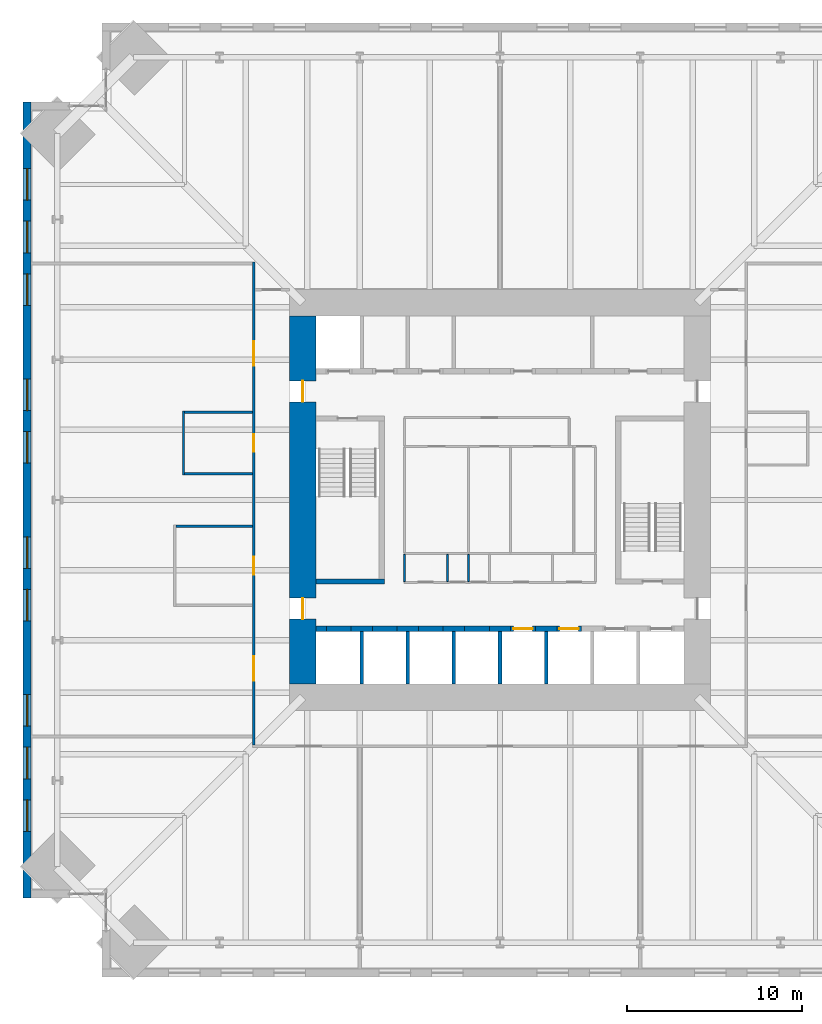
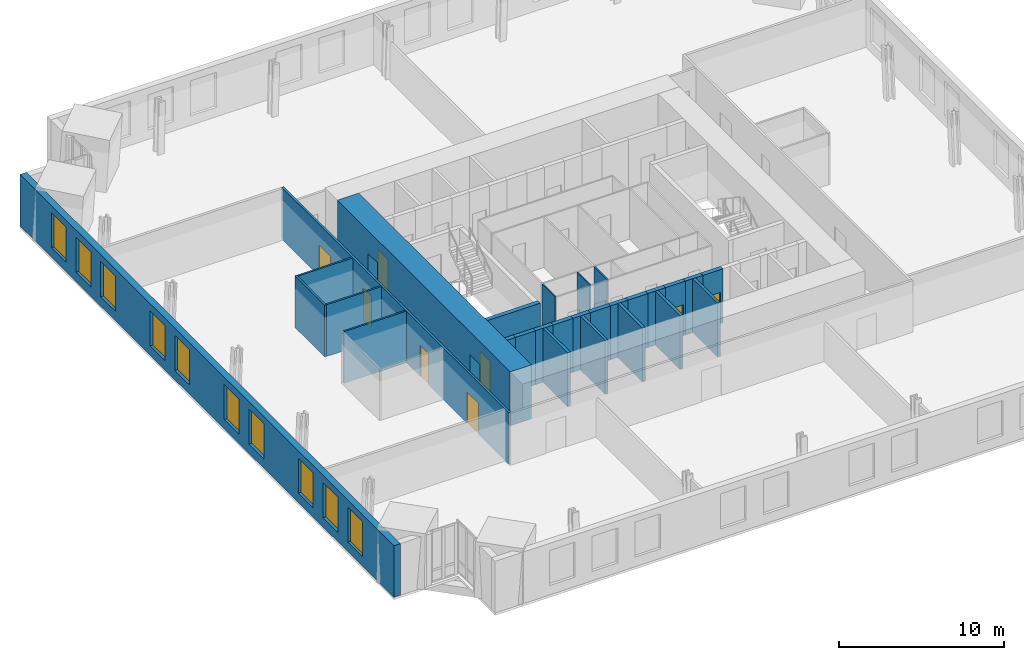
# One storey, part 12 of 16: 28 walls, 10 windows, 8 doors, 18 openings.
"""IFC4 building model written with IfcOpenShell, lengths in metres."""

from ifc_helpers import new_model, si_unit, direction, frame, frame_2d, origin, place, context, subcontext, project, spatial, rectangle, extrude, material, layer, layer_set, type_object, element, fill, save


model = new_model("IFC4")

# Units and contexts
model_context = context("Model", 3, precision=1e-05, world=origin(), true_north=direction((0.0, 1.0)))
body_context = subcontext(model_context, "Body", "Model", "MODEL_VIEW")
ifc_project = project(units=[si_unit("LENGTHUNIT", "METRE"), si_unit("AREAUNIT", "SQUARE_METRE"), si_unit("VOLUMEUNIT", "CUBIC_METRE"), si_unit("PLANEANGLEUNIT", "RADIAN"), si_unit("MASSUNIT", "GRAM", prefix="KILO")], contexts=[model_context])

# Site, building, storey
site_placement = place(None, origin())
site = spatial("IfcSite", under=ifc_project, at=site_placement, CompositionType="ELEMENT")
building_placement = place(site_placement, origin())
building = spatial("IfcBuilding", under=site, at=building_placement, Name="Peilmerk Tower", CompositionType="ELEMENT")
storey_placement = place(building_placement, frame((0.0, 0.0, 139.800048828125)))
storey = spatial("IfcBuildingStorey", under=building, at=storey_placement, Name="L28", CompositionType="ELEMENT", Elevation=139.800048828125)

# Wall, openings, windows
ifc_material_1 = material(Name="Precast concrete C45/55, board-marked finish", Category="concrete")
ifc_layer_1 = layer(ifc_material_1, 0.449951171875)
ifc_layer_set_1 = layer_set([ifc_layer_1], Name="Precast concrete C45/55, board-marked finish")
wall_type_1 = type_object("IfcWallType", Name="EW1 450 precast concrete facade wall, board-marked", PredefinedType="SOLIDWALL", material=ifc_layer_set_1)
wall_1_placement = place(storey_placement, frame((-26.97509765625, 22.699951171875, 0.0), z_axis=(0.0, 0.0, 1.0), x_axis=(0.0, -1.0, 0.0)))
wall_1 = element("IfcWall", 1, at=wall_1_placement, inside=storey, type_object=wall_type_1, Name="Facade wall W L28", PredefinedType="SOLIDWALL", context=body_context, shape_type="SweptSolid", body=[
    extrude(rectangle(XDim=45.39990234375, YDim=0.449951171875, at=frame_2d((22.699951171875, 0.0))), origin(), (0.0, 0.0, 1.0), 3.829833984375),
])
opening_1_placement = place(wall_1_placement, frame((3.800048828125, 0.0, 0.699951171875)))
opening_1 = element("IfcOpeningElement", 2, at=opening_1_placement, cuts=wall_1, Name="Opening W1", PredefinedType="OPENING", context=body_context, shape_type="SweptSolid", body=[
    extrude(rectangle(XDim=1.800048828125, YDim=2.60009765625, at=frame_2d((0.89990234375, 1.300048828125))), frame((0.0, 0.23486328125, 0.0), z_axis=(0.0, -1.0, 0.0), x_axis=(1.0, 0.0, 0.0)), (0.0, 0.0, 1.0), 0.469970703125),
])
opening_2_placement = place(wall_1_placement, frame((6.800048828125, 0.0, 0.699951171875)))
opening_2 = element("IfcOpeningElement", 3, at=opening_2_placement, cuts=wall_1, Name="Opening W1", PredefinedType="OPENING", context=body_context, shape_type="SweptSolid", body=[
    extrude(rectangle(XDim=1.800048828125, YDim=2.60009765625, at=frame_2d((0.89990234375, 1.300048828125))), frame((0.0, 0.23486328125, 0.0), z_axis=(0.0, -1.0, 0.0), x_axis=(1.0, 0.0, 0.0)), (0.0, 0.0, 1.0), 0.469970703125),
])
opening_3_placement = place(wall_1_placement, frame((9.800048828125, 0.0, 0.699951171875)))
opening_3 = element("IfcOpeningElement", 4, at=opening_3_placement, cuts=wall_1, Name="Opening W1", PredefinedType="OPENING", context=body_context, shape_type="SweptSolid", body=[
    extrude(rectangle(XDim=1.800048828125, YDim=2.60009765625, at=frame_2d((0.89990234375, 1.300048828125))), frame((0.0, 0.23486328125, 0.0), z_axis=(0.0, -1.0, 0.0), x_axis=(1.0, 0.0, 0.0)), (0.0, 0.0, 1.0), 0.469970703125),
])
opening_4_placement = place(wall_1_placement, frame((15.800048828125, 0.0, 0.699951171875)))
opening_4 = element("IfcOpeningElement", 5, at=opening_4_placement, cuts=wall_1, Name="Opening W1", PredefinedType="OPENING", context=body_context, shape_type="SweptSolid", body=[
    extrude(rectangle(XDim=1.800048828125, YDim=2.60009765625, at=frame_2d((0.89990234375, 1.300048828125))), frame((0.0, 0.23486328125, 0.0), z_axis=(0.0, -1.0, 0.0), x_axis=(1.0, 0.0, 0.0)), (0.0, 0.0, 1.0), 0.469970703125),
])
opening_5_placement = place(wall_1_placement, frame((18.800048828125, 0.0, 0.699951171875)))
opening_5 = element("IfcOpeningElement", 6, at=opening_5_placement, cuts=wall_1, Name="Opening W1", PredefinedType="OPENING", context=body_context, shape_type="SweptSolid", body=[
    extrude(rectangle(XDim=1.800048828125, YDim=2.60009765625, at=frame_2d((0.89990234375, 1.300048828125))), frame((0.0, 0.23486328125, 0.0), z_axis=(0.0, -1.0, 0.0), x_axis=(1.0, 0.0, 0.0)), (0.0, 0.0, 1.0), 0.469970703125),
])
opening_6_placement = place(wall_1_placement, frame((24.800048828125, 0.0, 0.699951171875)))
opening_6 = element("IfcOpeningElement", 7, at=opening_6_placement, cuts=wall_1, Name="Opening W1", PredefinedType="OPENING", context=body_context, shape_type="SweptSolid", body=[
    extrude(rectangle(XDim=1.800048828125, YDim=2.60009765625, at=frame_2d((0.89990234375, 1.300048828125))), frame((0.0, 0.23486328125, 0.0), z_axis=(0.0, -1.0, 0.0), x_axis=(1.0, 0.0, 0.0)), (0.0, 0.0, 1.0), 0.469970703125),
])
opening_7_placement = place(wall_1_placement, frame((27.800048828125, 0.0, 0.699951171875)))
opening_7 = element("IfcOpeningElement", 8, at=opening_7_placement, cuts=wall_1, Name="Opening W1", PredefinedType="OPENING", context=body_context, shape_type="SweptSolid", body=[
    extrude(rectangle(XDim=1.800048828125, YDim=2.60009765625, at=frame_2d((0.89990234375, 1.300048828125))), frame((0.0, 0.23486328125, 0.0), z_axis=(0.0, -1.0, 0.0), x_axis=(1.0, 0.0, 0.0)), (0.0, 0.0, 1.0), 0.469970703125),
])
opening_8_placement = place(wall_1_placement, frame((33.800048828125, 0.0, 0.699951171875)))
opening_8 = element("IfcOpeningElement", 9, at=opening_8_placement, cuts=wall_1, Name="Opening W1", PredefinedType="OPENING", context=body_context, shape_type="SweptSolid", body=[
    extrude(rectangle(XDim=1.800048828125, YDim=2.60009765625, at=frame_2d((0.89990234375, 1.300048828125))), frame((0.0, 0.23486328125, 0.0), z_axis=(0.0, -1.0, 0.0), x_axis=(1.0, 0.0, 0.0)), (0.0, 0.0, 1.0), 0.469970703125),
])
opening_9_placement = place(wall_1_placement, frame((36.800048828125, 0.0, 0.699951171875)))
opening_9 = element("IfcOpeningElement", 10, at=opening_9_placement, cuts=wall_1, Name="Opening W1", PredefinedType="OPENING", context=body_context, shape_type="SweptSolid", body=[
    extrude(rectangle(XDim=1.800048828125, YDim=2.60009765625, at=frame_2d((0.89990234375, 1.300048828125))), frame((0.0, 0.23486328125, 0.0), z_axis=(0.0, -1.0, 0.0), x_axis=(1.0, 0.0, 0.0)), (0.0, 0.0, 1.0), 0.469970703125),
])
opening_10_placement = place(wall_1_placement, frame((39.800048828125, 0.0, 0.699951171875)))
opening_10 = element("IfcOpeningElement", 11, at=opening_10_placement, cuts=wall_1, Name="Opening W1", PredefinedType="OPENING", context=body_context, shape_type="SweptSolid", body=[
    extrude(rectangle(XDim=1.800048828125, YDim=2.60009765625, at=frame_2d((0.89990234375, 1.300048828125))), frame((0.0, 0.23486328125, 0.0), z_axis=(0.0, -1.0, 0.0), x_axis=(1.0, 0.0, 0.0)), (0.0, 0.0, 1.0), 0.469970703125),
])
ifc_material_2 = material(Name="Aluminium frame, clear double glazing", Category="aluminium")
window_type = type_object("IfcWindowType", Name="W1 1800x2600 office window", PartitioningType="SINGLE_PANEL", PredefinedType="WINDOW", material=ifc_material_2)
window_1_placement = place(opening_1_placement, origin())
window_1 = element("IfcWindow", 12, at=window_1_placement, inside=storey, type_object=window_type, Name="Window W1 L28", OverallHeight=2.60009765625, OverallWidth=1.800048828125, PartitioningType="SINGLE_PANEL", PredefinedType="WINDOW", context=body_context, shape_type="SweptSolid", body=[
    extrude(rectangle(XDim=1.800048828125, YDim=2.60009765625, at=frame_2d((0.89990234375, 1.300048828125))), frame((0.0, 0.030029296875, 0.0), z_axis=(0.0, -1.0, 0.0), x_axis=(1.0, 0.0, 0.0)), (0.0, 0.0, 1.0), 0.06005859375),
])
fill(opening_1, window_1)
window_2_placement = place(opening_2_placement, origin())
window_2 = element("IfcWindow", 13, at=window_2_placement, inside=storey, type_object=window_type, Name="Window W1 L28", OverallHeight=2.60009765625, OverallWidth=1.800048828125, PartitioningType="SINGLE_PANEL", PredefinedType="WINDOW", context=body_context, shape_type="SweptSolid", body=[
    extrude(rectangle(XDim=1.800048828125, YDim=2.60009765625, at=frame_2d((0.89990234375, 1.300048828125))), frame((0.0, 0.030029296875, 0.0), z_axis=(0.0, -1.0, 0.0), x_axis=(1.0, 0.0, 0.0)), (0.0, 0.0, 1.0), 0.06005859375),
])
fill(opening_2, window_2)
window_3_placement = place(opening_3_placement, origin())
window_3 = element("IfcWindow", 14, at=window_3_placement, inside=storey, type_object=window_type, Name="Window W1 L28", OverallHeight=2.60009765625, OverallWidth=1.800048828125, PartitioningType="SINGLE_PANEL", PredefinedType="WINDOW", context=body_context, shape_type="SweptSolid", body=[
    extrude(rectangle(XDim=1.800048828125, YDim=2.60009765625, at=frame_2d((0.89990234375, 1.300048828125))), frame((0.0, 0.030029296875, 0.0), z_axis=(0.0, -1.0, 0.0), x_axis=(1.0, 0.0, 0.0)), (0.0, 0.0, 1.0), 0.06005859375),
])
fill(opening_3, window_3)
window_4_placement = place(opening_4_placement, origin())
window_4 = element("IfcWindow", 15, at=window_4_placement, inside=storey, type_object=window_type, Name="Window W1 L28", OverallHeight=2.60009765625, OverallWidth=1.800048828125, PartitioningType="SINGLE_PANEL", PredefinedType="WINDOW", context=body_context, shape_type="SweptSolid", body=[
    extrude(rectangle(XDim=1.800048828125, YDim=2.60009765625, at=frame_2d((0.89990234375, 1.300048828125))), frame((0.0, 0.030029296875, 0.0), z_axis=(0.0, -1.0, 0.0), x_axis=(1.0, 0.0, 0.0)), (0.0, 0.0, 1.0), 0.06005859375),
])
fill(opening_4, window_4)
window_5_placement = place(opening_5_placement, origin())
window_5 = element("IfcWindow", 16, at=window_5_placement, inside=storey, type_object=window_type, Name="Window W1 L28", OverallHeight=2.60009765625, OverallWidth=1.800048828125, PartitioningType="SINGLE_PANEL", PredefinedType="WINDOW", context=body_context, shape_type="SweptSolid", body=[
    extrude(rectangle(XDim=1.800048828125, YDim=2.60009765625, at=frame_2d((0.89990234375, 1.300048828125))), frame((0.0, 0.030029296875, 0.0), z_axis=(0.0, -1.0, 0.0), x_axis=(1.0, 0.0, 0.0)), (0.0, 0.0, 1.0), 0.06005859375),
])
fill(opening_5, window_5)
window_6_placement = place(opening_6_placement, origin())
window_6 = element("IfcWindow", 17, at=window_6_placement, inside=storey, type_object=window_type, Name="Window W1 L28", OverallHeight=2.60009765625, OverallWidth=1.800048828125, PartitioningType="SINGLE_PANEL", PredefinedType="WINDOW", context=body_context, shape_type="SweptSolid", body=[
    extrude(rectangle(XDim=1.800048828125, YDim=2.60009765625, at=frame_2d((0.89990234375, 1.300048828125))), frame((0.0, 0.030029296875, 0.0), z_axis=(0.0, -1.0, 0.0), x_axis=(1.0, 0.0, 0.0)), (0.0, 0.0, 1.0), 0.06005859375),
])
fill(opening_6, window_6)
window_7_placement = place(opening_7_placement, origin())
window_7 = element("IfcWindow", 18, at=window_7_placement, inside=storey, type_object=window_type, Name="Window W1 L28", OverallHeight=2.60009765625, OverallWidth=1.800048828125, PartitioningType="SINGLE_PANEL", PredefinedType="WINDOW", context=body_context, shape_type="SweptSolid", body=[
    extrude(rectangle(XDim=1.800048828125, YDim=2.60009765625, at=frame_2d((0.89990234375, 1.300048828125))), frame((0.0, 0.030029296875, 0.0), z_axis=(0.0, -1.0, 0.0), x_axis=(1.0, 0.0, 0.0)), (0.0, 0.0, 1.0), 0.06005859375),
])
fill(opening_7, window_7)
window_8_placement = place(opening_8_placement, origin())
window_8 = element("IfcWindow", 19, at=window_8_placement, inside=storey, type_object=window_type, Name="Window W1 L28", OverallHeight=2.60009765625, OverallWidth=1.800048828125, PartitioningType="SINGLE_PANEL", PredefinedType="WINDOW", context=body_context, shape_type="SweptSolid", body=[
    extrude(rectangle(XDim=1.800048828125, YDim=2.60009765625, at=frame_2d((0.89990234375, 1.300048828125))), frame((0.0, 0.030029296875, 0.0), z_axis=(0.0, -1.0, 0.0), x_axis=(1.0, 0.0, 0.0)), (0.0, 0.0, 1.0), 0.06005859375),
])
fill(opening_8, window_8)
window_9_placement = place(opening_9_placement, origin())
window_9 = element("IfcWindow", 20, at=window_9_placement, inside=storey, type_object=window_type, Name="Window W1 L28", OverallHeight=2.60009765625, OverallWidth=1.800048828125, PartitioningType="SINGLE_PANEL", PredefinedType="WINDOW", context=body_context, shape_type="SweptSolid", body=[
    extrude(rectangle(XDim=1.800048828125, YDim=2.60009765625, at=frame_2d((0.89990234375, 1.300048828125))), frame((0.0, 0.030029296875, 0.0), z_axis=(0.0, -1.0, 0.0), x_axis=(1.0, 0.0, 0.0)), (0.0, 0.0, 1.0), 0.06005859375),
])
fill(opening_9, window_9)
window_10_placement = place(opening_10_placement, origin())
window_10 = element("IfcWindow", 21, at=window_10_placement, inside=storey, type_object=window_type, Name="Window W1 L28", OverallHeight=2.60009765625, OverallWidth=1.800048828125, PartitioningType="SINGLE_PANEL", PredefinedType="WINDOW", context=body_context, shape_type="SweptSolid", body=[
    extrude(rectangle(XDim=1.800048828125, YDim=2.60009765625, at=frame_2d((0.89990234375, 1.300048828125))), frame((0.0, 0.030029296875, 0.0), z_axis=(0.0, -1.0, 0.0), x_axis=(1.0, 0.0, 0.0)), (0.0, 0.0, 1.0), 0.06005859375),
])
fill(opening_10, window_10)

# Wall, openings, doors
ifc_material_3 = material(Name="Calcium silicate block", Category="masonry")
ifc_layer_2 = layer(ifc_material_3, 0.14990234375)
ifc_layer_set_2 = layer_set([ifc_layer_2], Name="Calcium silicate block")
wall_type_2 = type_object("IfcWallType", Name="IW1 150 corridor partition, EI 60", PredefinedType="PARTITIONING", material=ifc_layer_set_2)
wall_2_placement = place(storey_placement, frame((-14.050048828125, 13.574951171875, 0.0), z_axis=(0.0, 0.0, 1.0), x_axis=(0.0, -1.0, 0.0)))
wall_2 = element("IfcWall", 22, at=wall_2_placement, inside=storey, type_object=wall_type_2, Name="Corridor wall W L28", PredefinedType="PARTITIONING", context=body_context, shape_type="SweptSolid", body=[
    extrude(rectangle(XDim=27.550048828125, YDim=0.14990234375, at=frame_2d((13.77490234375, 0.0))), origin(), (0.0, 0.0, 1.0), 3.829833984375),
])
opening_11_placement = place(wall_2_placement, frame((22.47509765625, 0.0, 0.0)))
opening_11 = element("IfcOpeningElement", 23, at=opening_11_placement, cuts=wall_2, Name="Opening D8", PredefinedType="OPENING", context=body_context, shape_type="SweptSolid", body=[
    extrude(rectangle(XDim=1.39990234375, YDim=2.300048828125, at=frame_2d((0.699951171875, 1.14990234375))), frame((0.0, 0.0849609375, 0.0), z_axis=(0.0, -1.0, 0.0), x_axis=(1.0, 0.0, 0.0)), (0.0, 0.0, 1.0), 0.169921875),
])
opening_12_placement = place(wall_2_placement, frame((4.52490234375, 0.0, 0.0)))
opening_12 = element("IfcOpeningElement", 24, at=opening_12_placement, cuts=wall_2, Name="Opening D8", PredefinedType="OPENING", context=body_context, shape_type="SweptSolid", body=[
    extrude(rectangle(XDim=1.39990234375, YDim=2.300048828125, at=frame_2d((0.699951171875, 1.14990234375))), frame((0.0, 0.0849609375, 0.0), z_axis=(0.0, -1.0, 0.0), x_axis=(1.0, 0.0, 0.0)), (0.0, 0.0, 1.0), 0.169921875),
])
opening_13_placement = place(wall_2_placement, frame((16.824951171875, 0.0, 0.0)))
opening_13 = element("IfcOpeningElement", 25, at=opening_13_placement, cuts=wall_2, Name="Opening D1", PredefinedType="OPENING", context=body_context, shape_type="SweptSolid", body=[
    extrude(rectangle(XDim=1.0, YDim=2.300048828125, at=frame_2d((0.5, 1.14990234375))), frame((0.0, 0.0849609375, 0.0), z_axis=(0.0, -1.0, 0.0), x_axis=(1.0, 0.0, 0.0)), (0.0, 0.0, 1.0), 0.169921875),
])
opening_14_placement = place(wall_2_placement, frame((9.824951171875, 0.0, 0.0)))
opening_14 = element("IfcOpeningElement", 26, at=opening_14_placement, cuts=wall_2, Name="Opening D1", PredefinedType="OPENING", context=body_context, shape_type="SweptSolid", body=[
    extrude(rectangle(XDim=1.0, YDim=2.300048828125, at=frame_2d((0.5, 1.14990234375))), frame((0.0, 0.0849609375, 0.0), z_axis=(0.0, -1.0, 0.0), x_axis=(1.0, 0.0, 0.0)), (0.0, 0.0, 1.0), 0.169921875),
])
ifc_material_4 = material(Name="Timber door in steel frame", Category="steel")
door_type_1 = type_object("IfcDoorType", Name="D1 1000x2300 room door, EI2 30", OperationType="SINGLE_SWING_LEFT", PredefinedType="DOOR", material=ifc_material_4)
door_1_placement = place(opening_13_placement, frame((1.0, 0.0, 0.0), z_axis=(0.0, 0.0, 1.0), x_axis=(-1.0, 0.0, 0.0)))
door_1 = element("IfcDoor", 27, at=door_1_placement, inside=storey, type_object=door_type_1, Name="Door Meeting room L28", OperationType="SINGLE_SWING_LEFT", OverallHeight=2.300048828125, OverallWidth=1.0, PredefinedType="DOOR", context=body_context, shape_type="SweptSolid", body=[
    extrude(rectangle(XDim=1.0, YDim=2.300048828125, at=frame_2d((0.5, 1.14990234375))), frame((0.0, 0.02490234375, 0.0), z_axis=(0.0, -1.0, 0.0), x_axis=(1.0, 0.0, 0.0)), (0.0, 0.0, 1.0), 0.050048828125),
])
fill(opening_13, door_1)
door_2_placement = place(opening_14_placement, frame((1.0, 0.0, 0.0), z_axis=(0.0, 0.0, 1.0), x_axis=(-1.0, 0.0, 0.0)))
door_2 = element("IfcDoor", 28, at=door_2_placement, inside=storey, type_object=door_type_1, Name="Door Pantry L28", OperationType="SINGLE_SWING_LEFT", OverallHeight=2.300048828125, OverallWidth=1.0, PredefinedType="DOOR", context=body_context, shape_type="SweptSolid", body=[
    extrude(rectangle(XDim=1.0, YDim=2.300048828125, at=frame_2d((0.5, 1.14990234375))), frame((0.0, 0.02490234375, 0.0), z_axis=(0.0, -1.0, 0.0), x_axis=(1.0, 0.0, 0.0)), (0.0, 0.0, 1.0), 0.050048828125),
])
fill(opening_14, door_2)
door_type_2 = type_object("IfcDoorType", Name="D8 1400x2300 leaf-and-a-half door, EI2 30", OperationType="DOUBLE_DOOR_SINGLE_SWING", PredefinedType="DOOR", material=ifc_material_4)
door_3_placement = place(opening_11_placement, frame((1.39990234375, 0.0, 0.0), z_axis=(0.0, 0.0, 1.0), x_axis=(-1.0, 0.0, 0.0)))
door_3 = element("IfcDoor", 29, at=door_3_placement, inside=storey, type_object=door_type_2, Name="Door Tenant suite L28", OperationType="DOUBLE_DOOR_SINGLE_SWING", OverallHeight=2.300048828125, OverallWidth=1.39990234375, PredefinedType="DOOR", context=body_context, shape_type="SweptSolid", body=[
    extrude(rectangle(XDim=1.39990234375, YDim=2.300048828125, at=frame_2d((0.699951171875, 1.14990234375))), frame((0.0, 0.02490234375, 0.0), z_axis=(0.0, -1.0, 0.0), x_axis=(1.0, 0.0, 0.0)), (0.0, 0.0, 1.0), 0.050048828125),
])
fill(opening_11, door_3)
door_4_placement = place(opening_12_placement, frame((1.39990234375, 0.0, 0.0), z_axis=(0.0, 0.0, 1.0), x_axis=(-1.0, 0.0, 0.0)))
door_4 = element("IfcDoor", 30, at=door_4_placement, inside=storey, type_object=door_type_2, Name="Door Tenant suite L28", OperationType="DOUBLE_DOOR_SINGLE_SWING", OverallHeight=2.300048828125, OverallWidth=1.39990234375, PredefinedType="DOOR", context=body_context, shape_type="SweptSolid", body=[
    extrude(rectangle(XDim=1.39990234375, YDim=2.300048828125, at=frame_2d((0.699951171875, 1.14990234375))), frame((0.0, 0.02490234375, 0.0), z_axis=(0.0, -1.0, 0.0), x_axis=(1.0, 0.0, 0.0)), (0.0, 0.0, 1.0), 0.050048828125),
])
fill(opening_12, door_4)

# Walls
ifc_material_5 = material(Name="Concrete C35/45", Category="concrete")
ifc_layer_3 = layer(ifc_material_5, 0.300048828125)
ifc_layer_set_3 = layer_set([ifc_layer_3], Name="Concrete C35/45")
wall_type_3 = type_object("IfcWallType", Name="IW3 300 concrete stair enclosure wall, EI 120", PredefinedType="SOLIDWALL", material=ifc_layer_set_3)
wall_3_placement = place(storey_placement, frame((-6.60009765625, -4.64990234375, 0.0), z_axis=(0.0, 0.0, 1.0), x_axis=(-1.0, 0.0, 0.0)))
element("IfcWall", 31, at=wall_3_placement, inside=storey, type_object=wall_type_3, Name="Stair 1 enclosure L28", PredefinedType="SOLIDWALL", context=body_context, shape_type="SweptSolid", body=[
    extrude(rectangle(XDim=3.89990234375, YDim=0.300048828125, at=frame_2d((1.949951171875, 0.0))), origin(), (0.0, 0.0, 1.0), 3.75),
])
ifc_material_6 = material(Name="Calcium silicate board on steel studs", Category="steel")
ifc_layer_4 = layer(ifc_material_6, 0.10009765625)
ifc_layer_set_4 = layer_set([ifc_layer_4], Name="Calcium silicate board on steel studs")
wall_type_4 = type_object("IfcWallType", Name="IW5 100 riser enclosure wall, EI 60", PredefinedType="PARTITIONING", material=ifc_layer_set_4)
for number, where, z_axis, x_axis, name in (
    (32, (-5.449951171875, -3.10009765625, 0.0), (0.0, 0.0, 1.0), (0.0, -1.0, 0.0), "Riser wall L28"),
    (33, (-3.0, -3.10009765625, 0.0), (0.0, 0.0, 1.0), (0.0, -1.0, 0.0), "Riser wall L28"),
    (34, (-1.800048828125, -3.10009765625, 0.0), (0.0, 0.0, 1.0), (0.0, -1.0, 0.0), "Riser wall L28"),
):
    element("IfcWall", number, at=place(storey_placement, frame(where, z_axis=z_axis, x_axis=x_axis)), inside=storey, type_object=wall_type_4, Name=name, PredefinedType="PARTITIONING", context=body_context, shape_type="SweptSolid", body=[
        extrude(rectangle(XDim=1.5498046875, YDim=0.10009765625, at=frame_2d((0.77490234375, 0.0))), origin(), (0.0, 0.0, 1.0), 3.75),
    ])
ifc_material_7 = material(Name="Plasterboard on steel studs, double boarded with mineral wool", Category="steel")
ifc_layer_5 = layer(ifc_material_7, 0.125)
ifc_layer_set_5 = layer_set([ifc_layer_5], Name="Plasterboard on steel studs, double boarded with mineral wool")
wall_type_5 = type_object("IfcWallType", Name="IW7 125 acoustic partition, EI 30", PredefinedType="PARTITIONING", material=ifc_layer_set_5)
wall_4_placement = place(storey_placement, frame((-14.125, -1.5, 0.0), z_axis=(0.0, 0.0, 1.0), x_axis=(-1.0, 0.0, 0.0)))
element("IfcWall", 35, at=wall_4_placement, inside=storey, type_object=wall_type_5, Name="Acoustic partition Meeting room L28", PredefinedType="PARTITIONING", context=body_context, shape_type="SweptSolid", body=[
    extrude(rectangle(XDim=4.362548828125, YDim=0.125, at=frame_2d((2.18115234375, 0.0))), origin(), (0.0, 0.0, 1.0), 3.829833984375),
])
wall_5_placement = place(storey_placement, frame((-18.050048828125, 1.4375, 0.0), z_axis=(0.0, 0.0, 1.0), x_axis=(0.0, 1.0, 0.0)))
element("IfcWall", 36, at=wall_5_placement, inside=storey, type_object=wall_type_5, Name="Acoustic partition Pantry L28", PredefinedType="PARTITIONING", context=body_context, shape_type="SweptSolid", body=[
    extrude(rectangle(XDim=3.625, YDim=0.125, at=frame_2d((1.8125, 0.0))), origin(), (0.0, 0.0, 1.0), 3.829833984375),
])
for number, where, z_axis, x_axis, name in (
    (37, (-14.125, 1.5, 0.0), (0.0, 0.0, 1.0), (-1.0, 0.0, 0.0), "Acoustic partition Pantry L28"),
    (38, (-14.125, 5.0, 0.0), (0.0, 0.0, 1.0), (-1.0, 0.0, 0.0), "Acoustic partition Pantry L28"),
):
    element("IfcWall", number, at=place(storey_placement, frame(where, z_axis=z_axis, x_axis=x_axis)), inside=storey, type_object=wall_type_5, Name=name, PredefinedType="PARTITIONING", context=body_context, shape_type="SweptSolid", body=[
        extrude(rectangle(XDim=3.862548828125, YDim=0.125, at=frame_2d((1.93115234375, 0.0))), origin(), (0.0, 0.0, 1.0), 3.829833984375),
    ])
ifc_layer_6 = layer(ifc_material_3, 0.199951171875)
ifc_layer_set_6 = layer_set([ifc_layer_6], Name="Calcium silicate block")
wall_type_6 = type_object("IfcWallType", Name="SH1 200 shaft dividing wall, EI 120", PredefinedType="PARTITIONING", material=ifc_layer_set_6)
for number, where, z_axis, x_axis, name in (
    (39, (-7.875, -10.5, 0.0), (0.0, 0.0, 1.0), (0.0, 1.0, 0.0), "Shaft wall S C4 L28"),
    (40, (-5.25, -10.5, 0.0), (0.0, 0.0, 1.0), (0.0, 1.0, 0.0), "Shaft wall S C3 L28"),
    (41, (-2.625, -10.5, 0.0), (0.0, 0.0, 1.0), (0.0, 1.0, 0.0), "Shaft wall S C2 L28"),
    (42, (0.0, -10.5, 0.0), (0.0, 0.0, 1.0), (0.0, 1.0, 0.0), "Shaft wall S C1 L28"),
    (43, (2.625, -10.5, 0.0), (0.0, 0.0, 1.0), (0.0, 1.0, 0.0), "Shaft wall S B3 L28"),
):
    element("IfcWall", number, at=place(storey_placement, frame(where, z_axis=z_axis, x_axis=x_axis)), inside=storey, type_object=wall_type_6, Name=name, PredefinedType="PARTITIONING", context=body_context, shape_type="SweptSolid", body=[
        extrude(rectangle(XDim=3.0, YDim=0.199951171875, at=frame_2d((1.5, 0.0))), origin(), (0.0, 0.0, 1.0), 4.0),
    ])
ifc_layer_7 = layer(ifc_material_3, 0.300048828125)
ifc_layer_set_7 = layer_set([ifc_layer_7], Name="Calcium silicate block")
wall_type_7 = type_object("IfcWallType", Name="SH2 300 lift landing door panel, EI 120", PredefinedType="PARTITIONING", material=ifc_layer_set_7)
for number, where, z_axis, x_axis, name in (
    (44, (-9.887451171875, -7.35009765625, 0.0), (0.0, 0.0, 1.0), (1.0, 0.0, 0.0), "Lift door panel S C4 L28"),
    (45, (-7.262451171875, -7.35009765625, 0.0), (0.0, 0.0, 1.0), (1.0, 0.0, 0.0), "Lift door panel S C3 L28"),
    (46, (-4.637451171875, -7.35009765625, 0.0), (0.0, 0.0, 1.0), (1.0, 0.0, 0.0), "Lift door panel S C2 L28"),
    (47, (-2.012451171875, -7.35009765625, 0.0), (0.0, 0.0, 1.0), (1.0, 0.0, 0.0), "Lift door panel S C1 L28"),
):
    element("IfcWall", number, at=place(storey_placement, frame(where, z_axis=z_axis, x_axis=x_axis)), inside=storey, type_object=wall_type_7, Name=name, PredefinedType="PARTITIONING", context=body_context, shape_type="SweptSolid", body=[
        extrude(rectangle(XDim=1.39990234375, YDim=0.300048828125, at=frame_2d((0.699951171875, 0.0))), origin(), (0.0, 0.0, 1.0), 4.0),
    ])

# Wall, opening, door
wall_6_placement = place(storey_placement, frame((0.612548828125, -7.35009765625, 0.0), z_axis=(0.0, 0.0, 1.0), x_axis=(1.0, 0.0, 0.0)))
wall_6 = element("IfcWall", 48, at=wall_6_placement, inside=storey, type_object=wall_type_7, Name="Lift door panel S B3 L28", PredefinedType="PARTITIONING", context=body_context, shape_type="SweptSolid", body=[
    extrude(rectangle(XDim=1.39990234375, YDim=0.300048828125, at=frame_2d((0.699951171875, 0.0))), origin(), (0.0, 0.0, 1.0), 4.0),
])
opening_15_placement = place(wall_6_placement, frame((0.14990234375, 0.0, 0.0)))
opening_15 = element("IfcOpeningElement", 49, at=opening_15_placement, cuts=wall_6, Name="Opening LD1", PredefinedType="OPENING", context=body_context, shape_type="SweptSolid", body=[
    extrude(rectangle(XDim=1.10009765625, YDim=2.300048828125, at=frame_2d((0.550048828125, 1.14990234375))), frame((0.0, 0.159912109375, 0.0), z_axis=(0.0, -1.0, 0.0), x_axis=(1.0, 0.0, 0.0)), (0.0, 0.0, 1.0), 0.320068359375),
])
ifc_material_8 = material(Name="Stainless steel landing door", Category="steel")
door_type_3 = type_object("IfcDoorType", Name="LD1 1100x2300 lift landing door, sliding, EI2 60", OperationType="SLIDING_TO_LEFT", PredefinedType="DOOR", material=ifc_material_8)
door_5_placement = place(opening_15_placement, origin())
door_5 = element("IfcDoor", 50, at=door_5_placement, inside=storey, type_object=door_type_3, Name="Lift landing door B3 L28", OperationType="SLIDING_TO_LEFT", OverallHeight=2.300048828125, OverallWidth=1.10009765625, PredefinedType="DOOR", context=body_context, shape_type="SweptSolid", body=[
    extrude(rectangle(XDim=1.10009765625, YDim=2.300048828125, at=frame_2d((0.550048828125, 1.14990234375))), frame((0.0, 0.02490234375, 0.0), z_axis=(0.0, -1.0, 0.0), x_axis=(1.0, 0.0, 0.0)), (0.0, 0.0, 1.0), 0.050048828125),
])
fill(opening_15, door_5)

wall_7_placement = place(storey_placement, frame((3.237548828125, -7.35009765625, 0.0), z_axis=(0.0, 0.0, 1.0), x_axis=(1.0, 0.0, 0.0)))
wall_7 = element("IfcWall", 51, at=wall_7_placement, inside=storey, type_object=wall_type_7, Name="Lift door panel S B2 L28", PredefinedType="PARTITIONING", context=body_context, shape_type="SweptSolid", body=[
    extrude(rectangle(XDim=1.39990234375, YDim=0.300048828125, at=frame_2d((0.699951171875, 0.0))), origin(), (0.0, 0.0, 1.0), 4.0),
])
opening_16_placement = place(wall_7_placement, frame((0.14990234375, 0.0, 0.0)))
opening_16 = element("IfcOpeningElement", 52, at=opening_16_placement, cuts=wall_7, Name="Opening LD1", PredefinedType="OPENING", context=body_context, shape_type="SweptSolid", body=[
    extrude(rectangle(XDim=1.10009765625, YDim=2.300048828125, at=frame_2d((0.550048828125, 1.14990234375))), frame((0.0, 0.159912109375, 0.0), z_axis=(0.0, -1.0, 0.0), x_axis=(1.0, 0.0, 0.0)), (0.0, 0.0, 1.0), 0.320068359375),
])
door_6_placement = place(opening_16_placement, origin())
door_6 = element("IfcDoor", 53, at=door_6_placement, inside=storey, type_object=door_type_3, Name="Lift landing door B2 L28", OperationType="SLIDING_TO_LEFT", OverallHeight=2.300048828125, OverallWidth=1.10009765625, PredefinedType="DOOR", context=body_context, shape_type="SweptSolid", body=[
    extrude(rectangle(XDim=1.10009765625, YDim=2.300048828125, at=frame_2d((0.550048828125, 1.14990234375))), frame((0.0, 0.02490234375, 0.0), z_axis=(0.0, -1.0, 0.0), x_axis=(1.0, 0.0, 0.0)), (0.0, 0.0, 1.0), 0.050048828125),
])
fill(opening_16, door_6)

# Wall, openings, doors
ifc_material_9 = material(Name="Concrete C55/67", Category="concrete")
ifc_layer_8 = layer(ifc_material_9, 1.5)
ifc_layer_set_8 = layer_set([ifc_layer_8], Name="Concrete C55/67")
wall_type_8 = type_object("IfcWallType", Name="SW1 1500 core wall", PredefinedType="SHEAR", material=ifc_layer_set_8)
wall_8_placement = place(storey_placement, frame((-11.25, -10.5, 0.0), z_axis=(0.0, 0.0, 1.0), x_axis=(0.0, 1.0, 0.0)))
wall_8 = element("IfcWall", 54, at=wall_8_placement, inside=storey, type_object=wall_type_8, Name="Core wall W L28", PredefinedType="SHEAR", context=body_context, shape_type="SweptSolid", body=[
    extrude(rectangle(XDim=21.0, YDim=1.5, at=frame_2d((10.5, 0.0))), origin(), (0.0, 0.0, 1.0), 4.0),
])
opening_17_placement = place(wall_8_placement, frame((16.10009765625, 0.0, 0.0)))
opening_17 = element("IfcOpeningElement", 55, at=opening_17_placement, cuts=wall_8, Name="Opening D3", PredefinedType="OPENING", context=body_context, shape_type="SweptSolid", body=[
    extrude(rectangle(XDim=1.199951171875, YDim=2.300048828125, at=frame_2d((0.60009765625, 1.14990234375))), frame((0.0, 0.760009765625, 0.0), z_axis=(0.0, -1.0, 0.0), x_axis=(1.0, 0.0, 0.0)), (0.0, 0.0, 1.0), 1.52001953125),
])
opening_18_placement = place(wall_8_placement, frame((3.699951171875, 0.0, 0.0)))
opening_18 = element("IfcOpeningElement", 56, at=opening_18_placement, cuts=wall_8, Name="Opening D3", PredefinedType="OPENING", context=body_context, shape_type="SweptSolid", body=[
    extrude(rectangle(XDim=1.199951171875, YDim=2.300048828125, at=frame_2d((0.60009765625, 1.14990234375))), frame((0.0, 0.760009765625, 0.0), z_axis=(0.0, -1.0, 0.0), x_axis=(1.0, 0.0, 0.0)), (0.0, 0.0, 1.0), 1.52001953125),
])
ifc_material_10 = material(Name="Steel door in steel frame", Category="steel")
door_type_4 = type_object("IfcDoorType", Name="D3 1200x2300 core door, EI2 60", OperationType="SINGLE_SWING_LEFT", PredefinedType="DOOR", material=ifc_material_10)
door_7_placement = place(opening_17_placement, frame((1.199951171875, 0.0, 0.0), z_axis=(0.0, 0.0, 1.0), x_axis=(-1.0, 0.0, 0.0)))
door_7 = element("IfcDoor", 57, at=door_7_placement, inside=storey, type_object=door_type_4, Name="Core door L28", OperationType="SINGLE_SWING_LEFT", OverallHeight=2.300048828125, OverallWidth=1.199951171875, PredefinedType="DOOR", context=body_context, shape_type="SweptSolid", body=[
    extrude(rectangle(XDim=1.199951171875, YDim=2.300048828125, at=frame_2d((0.60009765625, 1.14990234375))), frame((0.0, 0.02490234375, 0.0), z_axis=(0.0, -1.0, 0.0), x_axis=(1.0, 0.0, 0.0)), (0.0, 0.0, 1.0), 0.050048828125),
])
fill(opening_17, door_7)
door_8_placement = place(opening_18_placement, frame((1.199951171875, 0.0, 0.0), z_axis=(0.0, 0.0, 1.0), x_axis=(-1.0, 0.0, 0.0)))
door_8 = element("IfcDoor", 58, at=door_8_placement, inside=storey, type_object=door_type_4, Name="Core door L28", OperationType="SINGLE_SWING_LEFT", OverallHeight=2.300048828125, OverallWidth=1.199951171875, PredefinedType="DOOR", context=body_context, shape_type="SweptSolid", body=[
    extrude(rectangle(XDim=1.199951171875, YDim=2.300048828125, at=frame_2d((0.60009765625, 1.14990234375))), frame((0.0, 0.02490234375, 0.0), z_axis=(0.0, -1.0, 0.0), x_axis=(1.0, 0.0, 0.0)), (0.0, 0.0, 1.0), 0.050048828125),
])
fill(opening_18, door_8)

# Walls
ifc_layer_9 = layer(ifc_material_9, 0.300048828125)
ifc_layer_set_9 = layer_set([ifc_layer_9], Name="Concrete C55/67")
wall_type_9 = type_object("IfcWallType", Name="SW2 300 lift bank pier", PredefinedType="SHEAR", material=ifc_layer_set_9)
wall_9_placement = place(storey_placement, frame((-10.5, -7.35009765625, 0.0), z_axis=(0.0, 0.0, 1.0), x_axis=(1.0, 0.0, 0.0)))
element("IfcWall", 59, at=wall_9_placement, inside=storey, type_object=wall_type_9, Name="Lift bank pier S L28", PredefinedType="SHEAR", context=body_context, shape_type="SweptSolid", body=[
    extrude(rectangle(XDim=0.612548828125, YDim=0.300048828125, at=frame_2d((0.30615234375, 0.0))), origin(), (0.0, 0.0, 1.0), 4.0),
])
for number, where, z_axis, x_axis, name in (
    (60, (-8.487548828125, -7.35009765625, 0.0), (0.0, 0.0, 1.0), (1.0, 0.0, 0.0), "Lift bank pier S L28"),
    (61, (-5.862548828125, -7.35009765625, 0.0), (0.0, 0.0, 1.0), (1.0, 0.0, 0.0), "Lift bank pier S L28"),
    (62, (-3.237548828125, -7.35009765625, 0.0), (0.0, 0.0, 1.0), (1.0, 0.0, 0.0), "Lift bank pier S L28"),
    (63, (-0.612548828125, -7.35009765625, 0.0), (0.0, 0.0, 1.0), (1.0, 0.0, 0.0), "Lift bank pier S L28"),
    (64, (2.012451171875, -7.35009765625, 0.0), (0.0, 0.0, 1.0), (1.0, 0.0, 0.0), "Lift bank pier S L28"),
):
    element("IfcWall", number, at=place(storey_placement, frame(where, z_axis=z_axis, x_axis=x_axis)), inside=storey, type_object=wall_type_9, Name=name, PredefinedType="SHEAR", context=body_context, shape_type="SweptSolid", body=[
        extrude(rectangle(XDim=1.22509765625, YDim=0.300048828125, at=frame_2d((0.612548828125, 0.0))), origin(), (0.0, 0.0, 1.0), 4.0),
    ])

save(model, "model.ifc")
